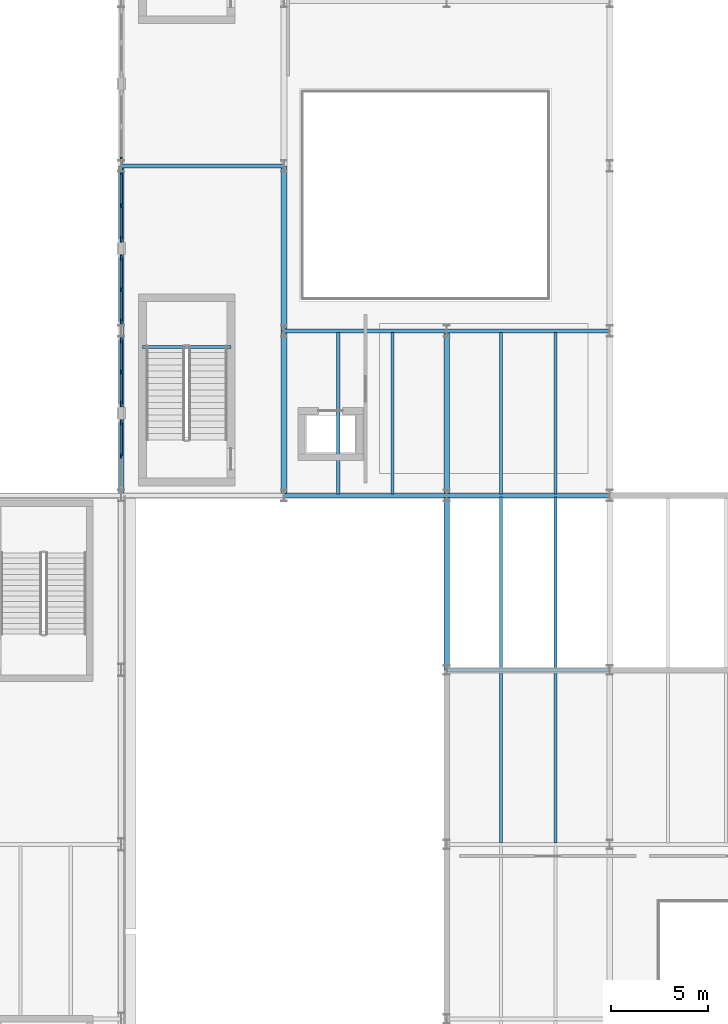
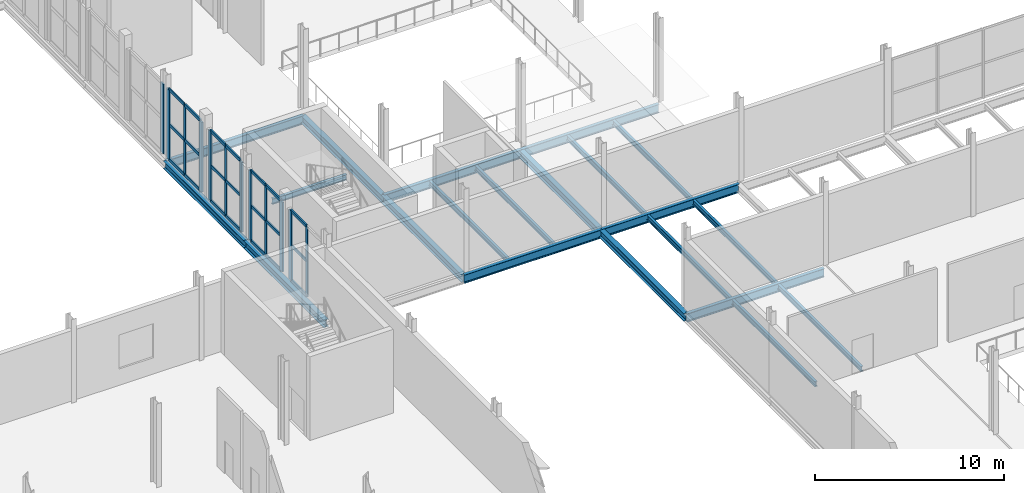
# One storey, part 23 of 78: 33 members, 21 beams, 5 elements without a shape of their own.
"""IFC4 building model written with IfcOpenShell, lengths in metres."""

from ifc_helpers import new_model, si_unit, direction, frame, origin, origin_2d, place, context, subcontext, project, spatial, rectangle, i_section, extrude, material, layer, layer_set, material_profile, profile_set, type_object, element, aggregate, save


model = new_model("IFC4")

# Units and contexts
model_context = context("Model", 3, precision=1e-05, world=origin(), true_north=direction((0.0, 1.0)))
body_context = subcontext(model_context, "Body", "Model", "MODEL_VIEW")
ifc_project = project(units=[si_unit("LENGTHUNIT", "METRE"), si_unit("AREAUNIT", "SQUARE_METRE"), si_unit("VOLUMEUNIT", "CUBIC_METRE"), si_unit("PLANEANGLEUNIT", "RADIAN"), si_unit("MASSUNIT", "GRAM", prefix="KILO")], contexts=[model_context])

# Site, building, storey
site_placement = place(None, origin())
site = spatial("IfcSite", under=ifc_project, at=site_placement, CompositionType="ELEMENT")
building_placement = place(site_placement, origin())
building = spatial("IfcBuilding", under=site, at=building_placement, Name="Sefraquen Railside Congress Hotel", CompositionType="ELEMENT")
storey_placement = place(building_placement, frame((0.0, 0.0, 6.0)))
storey = spatial("IfcBuildingStorey", under=building, at=storey_placement, Name="L01", CompositionType="ELEMENT", Elevation=6.0)

# Beams
ifc_material_1 = material(Name="Steel S355JR", Category="steel")
ifc_material_profile_1 = material_profile(ifc_material_1, i_section(OverallWidth=0.169921875, OverallDepth=0.360107421875, WebThickness=0.008056640625, FlangeThickness=0.0126953125, FilletRadius=0.01806640625, at=origin_2d()), Name="IPE 360")
ifc_profile_set_1 = profile_set([ifc_material_profile_1], Name="Steel S355JR")
beam_type_1 = type_object("IfcBeamType", Name="TB-BM-360", PredefinedType="BEAM", material=ifc_profile_set_1)
beam_1_placement = place(storey_placement, frame((104.300048828125, 61.669921875, 2.320068359375), z_axis=(1.0, 0.0, 0.0), x_axis=(0.0, 1.0, 0.0)))
element("IfcBeam", 1, at=beam_1_placement, inside=storey, type_object=beam_type_1, Name="Stair ST-M02 L01 mid-landing corbel beam", PredefinedType="BEAM", context=body_context, shape_type="SweptSolid", body=[
    extrude(i_section(OverallWidth=0.169921875, OverallDepth=0.360107421875, WebThickness=0.008056640625, FlangeThickness=0.0126953125, FilletRadius=0.01806640625, at=origin_2d()), origin(), (0.0, 0.0, 1.0), 4.56005859375),
])
ifc_material_profile_2 = material_profile(ifc_material_1, i_section(OverallWidth=0.300048828125, OverallDepth=0.489990234375, WebThickness=0.011962890625, FlangeThickness=0.02294921875, FilletRadius=0.027099609375, at=origin_2d()), Name="HEA 500")
ifc_profile_set_2 = profile_set([ifc_material_profile_2], Name="Steel S355JR")
beam_type_2 = type_object("IfcBeamType", Name="TB-GIR-500", PredefinedType="T_BEAM", material=ifc_profile_set_2)
for number, where, z_axis, x_axis, name in (
    (2, (103.199951171875, 54.0, -0.544921875), (0.0, 1.0, 0.0), (-1.0, 0.0, 0.0), "Floor beam BM-L01-0609"),
    (3, (103.199951171875, 62.5, -0.544921875), (0.0, 1.0, 0.0), (-1.0, 0.0, 0.0), "Floor beam BM-L01-0610"),
    (4, (111.60009765625, 54.0, -0.544921875), (0.0, 1.0, 0.0), (-1.0, 0.0, 0.0), "Floor beam BM-L01-0617"),
    (5, (111.60009765625, 62.5, -0.544921875), (0.0, 1.0, 0.0), (-1.0, 0.0, 0.0), "Floor beam BM-L01-0618"),
):
    element("IfcBeam", number, at=place(storey_placement, frame(where, z_axis=z_axis, x_axis=x_axis)), inside=storey, type_object=beam_type_2, Name=name, PredefinedType="T_BEAM", context=body_context, shape_type="SweptSolid", body=[
        extrude(i_section(OverallWidth=0.300048828125, OverallDepth=0.489990234375, WebThickness=0.011962890625, FlangeThickness=0.02294921875, FilletRadius=0.027099609375, at=origin_2d()), origin(), (0.0, 0.0, 1.0), 8.5),
    ])
beam_2_placement = place(storey_placement, frame((120.0, 45.0, -0.544921875), z_axis=(0.0, 1.0, 0.0), x_axis=(-1.0, 0.0, 0.0)))
element("IfcBeam", 6, at=beam_2_placement, inside=storey, type_object=beam_type_2, Name="Floor beam BM-L01-0629", PredefinedType="T_BEAM", context=body_context, shape_type="SweptSolid", body=[
    extrude(i_section(OverallWidth=0.300048828125, OverallDepth=0.489990234375, WebThickness=0.011962890625, FlangeThickness=0.02294921875, FilletRadius=0.027099609375, at=origin_2d()), origin(), (0.0, 0.0, 1.0), 9.0),
])
beam_3_placement = place(storey_placement, frame((120.0, 54.0, -0.544921875), z_axis=(0.0, 1.0, 0.0), x_axis=(-1.0, 0.0, 0.0)))
element("IfcBeam", 7, at=beam_3_placement, inside=storey, type_object=beam_type_2, Name="Floor beam BM-L01-0630", PredefinedType="T_BEAM", context=body_context, shape_type="SweptSolid", body=[
    extrude(i_section(OverallWidth=0.300048828125, OverallDepth=0.489990234375, WebThickness=0.011962890625, FlangeThickness=0.02294921875, FilletRadius=0.027099609375, at=origin_2d()), origin(), (0.0, 0.0, 1.0), 8.5),
])
ifc_material_profile_3 = material_profile(ifc_material_1, i_section(OverallWidth=0.2099609375, OverallDepth=0.550048828125, WebThickness=0.010986328125, FlangeThickness=0.01708984375, FilletRadius=0.02392578125, at=origin_2d()), Name="IPE 550")
ifc_profile_set_3 = profile_set([ifc_material_profile_3], Name="Steel S355JR")
beam_type_3 = type_object("IfcBeamType", Name="TB-GIR-550", PredefinedType="T_BEAM", material=ifc_profile_set_3)
for number, where, z_axis, x_axis, name in (
    (8, (120.0, 45.0, -0.574951171875), (1.0, 0.0, 0.0), (0.0, 1.0, 0.0), "Primary girder BM-L01-0386"),
    (9, (111.60009765625, 54.0, -0.574951171875), (1.0, 0.0, 0.0), (0.0, 1.0, 0.0), "Primary girder BM-L01-0403"),
    (10, (120.0, 54.0, -0.574951171875), (1.0, 0.0, 0.0), (0.0, 1.0, 0.0), "Primary girder BM-L01-0404"),
    (11, (111.60009765625, 62.5, -0.574951171875), (1.0, 0.0, 0.0), (0.0, 1.0, 0.0), "Primary girder BM-L01-0416"),
    (12, (120.0, 62.5, -0.574951171875), (1.0, 0.0, 0.0), (0.0, 1.0, 0.0), "Primary girder BM-L01-0417"),
):
    element("IfcBeam", number, at=place(storey_placement, frame(where, z_axis=z_axis, x_axis=x_axis)), inside=storey, type_object=beam_type_3, Name=name, PredefinedType="T_BEAM", context=body_context, shape_type="SweptSolid", body=[
        extrude(i_section(OverallWidth=0.2099609375, OverallDepth=0.550048828125, WebThickness=0.010986328125, FlangeThickness=0.01708984375, FilletRadius=0.02392578125, at=origin_2d()), origin(), (0.0, 0.0, 1.0), 8.39990234375),
    ])
beam_4_placement = place(storey_placement, frame((103.199951171875, 71.0, -0.574951171875), z_axis=(1.0, 0.0, 0.0), x_axis=(0.0, 1.0, 0.0)))
element("IfcBeam", 13, at=beam_4_placement, inside=storey, type_object=beam_type_3, Name="Primary girder BM-L01-0425", PredefinedType="T_BEAM", context=body_context, shape_type="SweptSolid", body=[
    extrude(i_section(OverallWidth=0.2099609375, OverallDepth=0.550048828125, WebThickness=0.010986328125, FlangeThickness=0.01708984375, FilletRadius=0.02392578125, at=origin_2d()), origin(), (0.0, 0.0, 1.0), 8.400146484375),
])
ifc_material_profile_4 = material_profile(ifc_material_1, i_section(OverallWidth=0.159912109375, OverallDepth=0.330078125, WebThickness=0.007568359375, FlangeThickness=0.011474609375, FilletRadius=0.01806640625, at=origin_2d()), Name="IPE 330")
ifc_profile_set_4 = profile_set([ifc_material_profile_4], Name="Steel S355JR")
beam_type_4 = type_object("IfcBeamType", Name="TB-JST-330", PredefinedType="JOIST", material=ifc_profile_set_4)
for number, where, z_axis, x_axis, name in (
    (14, (114.39990234375, 54.0849609375, -0.465087890625), (0.0, 1.0, 0.0), (-1.0, 0.0, 0.0), "Composite floor joist BM-L01-J0362"),
    (15, (117.199951171875, 54.0849609375, -0.465087890625), (0.0, 1.0, 0.0), (-1.0, 0.0, 0.0), "Composite floor joist BM-L01-J0363"),
):
    element("IfcBeam", number, at=place(storey_placement, frame(where, z_axis=z_axis, x_axis=x_axis)), inside=storey, type_object=beam_type_4, Name=name, PredefinedType="JOIST", context=body_context, shape_type="SweptSolid", body=[
        extrude(i_section(OverallWidth=0.159912109375, OverallDepth=0.330078125, WebThickness=0.007568359375, FlangeThickness=0.011474609375, FilletRadius=0.01806640625, at=origin_2d()), origin(), (0.0, 0.0, 1.0), 8.330078125),
    ])
for number, where, z_axis, x_axis, name in (
    (16, (122.800048828125, 36.0849609375, -0.465087890625), (0.0, 1.0, 0.0), (-1.0, 0.0, 0.0), "Composite floor joist BM-L01-J0380"),
    (17, (125.60009765625, 36.0849609375, -0.465087890625), (0.0, 1.0, 0.0), (-1.0, 0.0, 0.0), "Composite floor joist BM-L01-J0381"),
    (18, (122.800048828125, 45.0849609375, -0.465087890625), (0.0, 1.0, 0.0), (-1.0, 0.0, 0.0), "Composite floor joist BM-L01-J0382"),
    (19, (125.60009765625, 45.0849609375, -0.465087890625), (0.0, 1.0, 0.0), (-1.0, 0.0, 0.0), "Composite floor joist BM-L01-J0383"),
):
    element("IfcBeam", number, at=place(storey_placement, frame(where, z_axis=z_axis, x_axis=x_axis)), inside=storey, type_object=beam_type_4, Name=name, PredefinedType="JOIST", context=body_context, shape_type="SweptSolid", body=[
        extrude(i_section(OverallWidth=0.159912109375, OverallDepth=0.330078125, WebThickness=0.007568359375, FlangeThickness=0.011474609375, FilletRadius=0.01806640625, at=origin_2d()), origin(), (0.0, 0.0, 1.0), 8.830078125),
    ])
for number, where, z_axis, x_axis, name in (
    (20, (122.800048828125, 54.0849609375, -0.465087890625), (0.0, 1.0, 0.0), (-1.0, 0.0, 0.0), "Composite floor joist BM-L01-J0384"),
    (21, (125.60009765625, 54.0849609375, -0.465087890625), (0.0, 1.0, 0.0), (-1.0, 0.0, 0.0), "Composite floor joist BM-L01-J0385"),
):
    element("IfcBeam", number, at=place(storey_placement, frame(where, z_axis=z_axis, x_axis=x_axis)), inside=storey, type_object=beam_type_4, Name=name, PredefinedType="JOIST", context=body_context, shape_type="SweptSolid", body=[
        extrude(i_section(OverallWidth=0.159912109375, OverallDepth=0.330078125, WebThickness=0.007568359375, FlangeThickness=0.011474609375, FilletRadius=0.01806640625, at=origin_2d()), origin(), (0.0, 0.0, 1.0), 8.330078125),
    ])

# Curtain wall, member
ifc_material_2 = material(Name="Thermally broken anodised aluminium and low-E double glazing", Category="aluminium")
ifc_layer_1 = layer(ifc_material_2, 0.199951171875)
ifc_layer_set_1 = layer_set([ifc_layer_1], Name="Thermally broken anodised aluminium and low-E double glazing")
curtain_wall_type_1 = type_object("IfcCurtainWallType", Name="TCW-UCW-14", PredefinedType="USERDEFINED", material=ifc_layer_set_1)
curtain_wall_1_placement = place(storey_placement, origin())
curtain_wall_1 = element("IfcCurtainWall", 22, at=curtain_wall_1_placement, inside=storey, type_object=curtain_wall_type_1, Name="Courtyard east gallery curtain wall L01", ObjectType="UNITISED CURTAIN WALL", PredefinedType="USERDEFINED")
ifc_material_3 = material(Name="Thermally broken anodised aluminium 6063-T6", Category="aluminium")
ifc_material_profile_5 = material_profile(ifc_material_3, rectangle(XDim=0.074951171875, YDim=0.219970703125, at=origin_2d()), Name="CWM 75x220")
ifc_profile_set_5 = profile_set([ifc_material_profile_5], Name="Thermally broken anodised aluminium 6063-T6")
member_type_1 = type_object("IfcMemberType", Name="TM-CWM-04", PredefinedType="MULLION", material=ifc_profile_set_5)
member_1_placement = place(storey_placement, frame((103.199951171875, 56.0400390625, 0.0), z_axis=(0.0, 0.0, 1.0), x_axis=(1.0, 0.0, 0.0)))
member_1 = element("IfcMember", 23, at=member_1_placement, type_object=member_type_1, Name="CW-L01-046 mullion 2", PredefinedType="MULLION", context=body_context, shape_type="SweptSolid", body=[
    extrude(rectangle(XDim=0.074951171875, YDim=0.219970703125, at=origin_2d()), origin(), (0.0, 0.0, 1.0), 4.5),
])

curtain_wall_2_placement = place(storey_placement, origin())
curtain_wall_2 = element("IfcCurtainWall", 24, at=curtain_wall_2_placement, inside=storey, type_object=curtain_wall_type_1, Name="Courtyard east gallery curtain wall L01 bay 2", ObjectType="UNITISED CURTAIN WALL", PredefinedType="USERDEFINED")
member_2_placement = place(storey_placement, frame((103.199951171875, 60.375, 0.0), z_axis=(0.0, 0.0, 1.0), x_axis=(1.0, 0.0, 0.0)))
member_2 = element("IfcMember", 25, at=member_2_placement, type_object=member_type_1, Name="CW-L01-046-S2 mullion 2", PredefinedType="MULLION", context=body_context, shape_type="SweptSolid", body=[
    extrude(rectangle(XDim=0.074951171875, YDim=0.219970703125, at=origin_2d()), origin(), (0.0, 0.0, 1.0), 4.5),
])

curtain_wall_3_placement = place(storey_placement, origin())
curtain_wall_3 = element("IfcCurtainWall", 26, at=curtain_wall_3_placement, inside=storey, type_object=curtain_wall_type_1, Name="Courtyard east gallery curtain wall L01 bay 3", ObjectType="UNITISED CURTAIN WALL", PredefinedType="USERDEFINED")
member_3_placement = place(storey_placement, frame((103.199951171875, 64.625, 0.0), z_axis=(0.0, 0.0, 1.0), x_axis=(1.0, 0.0, 0.0)))
member_3 = element("IfcMember", 27, at=member_3_placement, type_object=member_type_1, Name="CW-L01-046-S3 mullion 2", PredefinedType="MULLION", context=body_context, shape_type="SweptSolid", body=[
    extrude(rectangle(XDim=0.074951171875, YDim=0.219970703125, at=origin_2d()), origin(), (0.0, 0.0, 1.0), 4.5),
])

curtain_wall_4_placement = place(storey_placement, origin())
curtain_wall_4 = element("IfcCurtainWall", 28, at=curtain_wall_4_placement, inside=storey, type_object=curtain_wall_type_1, Name="Courtyard east gallery curtain wall L01 bay 4", ObjectType="UNITISED CURTAIN WALL", PredefinedType="USERDEFINED")
member_4_placement = place(storey_placement, frame((103.199951171875, 68.9599609375, 0.0), z_axis=(0.0, 0.0, 1.0), x_axis=(1.0, 0.0, 0.0)))
member_4 = element("IfcMember", 29, at=member_4_placement, type_object=member_type_1, Name="CW-L01-046-S4 mullion 2", PredefinedType="MULLION", context=body_context, shape_type="SweptSolid", body=[
    extrude(rectangle(XDim=0.074951171875, YDim=0.219970703125, at=origin_2d()), origin(), (0.0, 0.0, 1.0), 4.5),
])

# Member
ifc_material_profile_6 = material_profile(ifc_material_3, rectangle(XDim=0.094970703125, YDim=0.300048828125, at=origin_2d()), Name="CWM 95x300")
ifc_profile_set_6 = profile_set([ifc_material_profile_6], Name="Thermally broken anodised aluminium 6063-T6")
member_type_2 = type_object("IfcMemberType", Name="TM-CWM-08", PredefinedType="MULLION", material=ifc_profile_set_6)
member_5_placement = place(storey_placement, frame((103.199951171875, 57.77001953125, 0.0), z_axis=(0.0, 0.0, 1.0), x_axis=(1.0, 0.0, 0.0)))
member_5 = element("IfcMember", 30, at=member_5_placement, type_object=member_type_2, Name="CW-L01-046 mullion 3", PredefinedType="MULLION", context=body_context, shape_type="SweptSolid", body=[
    extrude(rectangle(XDim=0.094970703125, YDim=0.300048828125, at=origin_2d()), origin(), (0.0, 0.0, 1.0), 4.5),
])

member_6_placement = place(storey_placement, frame((103.199951171875, 58.72998046875, 0.0), z_axis=(0.0, 0.0, 1.0), x_axis=(1.0, 0.0, 0.0)))
member_6 = element("IfcMember", 31, at=member_6_placement, type_object=member_type_2, Name="CW-L01-046-S2 mullion 1", PredefinedType="MULLION", context=body_context, shape_type="SweptSolid", body=[
    extrude(rectangle(XDim=0.094970703125, YDim=0.300048828125, at=origin_2d()), origin(), (0.0, 0.0, 1.0), 4.5),
])

member_7_placement = place(storey_placement, frame((103.199951171875, 62.02001953125, 0.0), z_axis=(0.0, 0.0, 1.0), x_axis=(1.0, 0.0, 0.0)))
member_7 = element("IfcMember", 32, at=member_7_placement, type_object=member_type_2, Name="CW-L01-046-S2 mullion 3", PredefinedType="MULLION", context=body_context, shape_type="SweptSolid", body=[
    extrude(rectangle(XDim=0.094970703125, YDim=0.300048828125, at=origin_2d()), origin(), (0.0, 0.0, 1.0), 4.5),
])

member_8_placement = place(storey_placement, frame((103.199951171875, 62.97998046875, 0.0), z_axis=(0.0, 0.0, 1.0), x_axis=(1.0, 0.0, 0.0)))
member_8 = element("IfcMember", 33, at=member_8_placement, type_object=member_type_2, Name="CW-L01-046-S3 mullion 1", PredefinedType="MULLION", context=body_context, shape_type="SweptSolid", body=[
    extrude(rectangle(XDim=0.094970703125, YDim=0.300048828125, at=origin_2d()), origin(), (0.0, 0.0, 1.0), 4.5),
])

member_9_placement = place(storey_placement, frame((103.199951171875, 66.27001953125, 0.0), z_axis=(0.0, 0.0, 1.0), x_axis=(1.0, 0.0, 0.0)))
member_9 = element("IfcMember", 34, at=member_9_placement, type_object=member_type_2, Name="CW-L01-046-S3 mullion 3", PredefinedType="MULLION", context=body_context, shape_type="SweptSolid", body=[
    extrude(rectangle(XDim=0.094970703125, YDim=0.300048828125, at=origin_2d()), origin(), (0.0, 0.0, 1.0), 4.5),
])

member_10_placement = place(storey_placement, frame((103.199951171875, 67.22998046875, 0.0), z_axis=(0.0, 0.0, 1.0), x_axis=(1.0, 0.0, 0.0)))
member_10 = element("IfcMember", 35, at=member_10_placement, type_object=member_type_2, Name="CW-L01-046-S4 mullion 1", PredefinedType="MULLION", context=body_context, shape_type="SweptSolid", body=[
    extrude(rectangle(XDim=0.094970703125, YDim=0.300048828125, at=origin_2d()), origin(), (0.0, 0.0, 1.0), 4.5),
])

member_11_placement = place(storey_placement, frame((103.199951171875, 70.68994140625, 0.0), z_axis=(0.0, 0.0, 1.0), x_axis=(1.0, 0.0, 0.0)))
member_11 = element("IfcMember", 36, at=member_11_placement, type_object=member_type_2, Name="CW-L01-046-S4 mullion 3", PredefinedType="MULLION", context=body_context, shape_type="SweptSolid", body=[
    extrude(rectangle(XDim=0.094970703125, YDim=0.300048828125, at=origin_2d()), origin(), (0.0, 0.0, 1.0), 4.5),
])

# Curtain wall, member
ifc_layer_2 = layer(ifc_material_2, 0.199951171875)
ifc_layer_set_2 = layer_set([ifc_layer_2], Name="Thermally broken anodised aluminium and low-E double glazing")
curtain_wall_type_2 = type_object("IfcCurtainWallType", Name="TCW-UCW-16", PredefinedType="USERDEFINED", material=ifc_layer_set_2)
curtain_wall_5_placement = place(storey_placement, origin())
curtain_wall_5 = element("IfcCurtainWall", 37, at=curtain_wall_5_placement, inside=storey, type_object=curtain_wall_type_2, Name="Courtyard east gallery curtain wall L01", ObjectType="UNITISED CURTAIN WALL", PredefinedType="USERDEFINED")
member_12_placement = place(storey_placement, frame((103.199951171875, 71.31005859375, 0.0), z_axis=(0.0, 0.0, 1.0), x_axis=(1.0, 0.0, 0.0)))
member_12 = element("IfcMember", 38, at=member_12_placement, type_object=member_type_2, Name="CW-L01-048 mullion 1", PredefinedType="MULLION", context=body_context, shape_type="SweptSolid", body=[
    extrude(rectangle(XDim=0.094970703125, YDim=0.300048828125, at=origin_2d()), origin(), (0.0, 0.0, 1.0), 4.5),
])
aggregate(curtain_wall_5, [member_12])

# Member
ifc_material_profile_7 = material_profile(ifc_material_3, rectangle(XDim=0.0849609375, YDim=0.195068359375, at=origin_2d()), Name="CWT 85x195")
ifc_profile_set_7 = profile_set([ifc_material_profile_7], Name="Thermally broken anodised aluminium 6063-T6")
member_type_3 = type_object("IfcMemberType", Name="TM-CWT-06", PredefinedType="USERDEFINED", material=ifc_profile_set_7)
member_13_placement = place(storey_placement, frame((103.199951171875, 56.0849609375, 0.0), z_axis=(0.0, 1.0, 0.0), x_axis=(-1.0, 0.0, 0.0)))
member_13 = element("IfcMember", 39, at=member_13_placement, type_object=member_type_3, Name="CW-L01-046 transom 1.2", ObjectType="TRANSOM", PredefinedType="USERDEFINED", context=body_context, shape_type="SweptSolid", body=[
    extrude(rectangle(XDim=0.0849609375, YDim=0.195068359375, at=origin_2d()), origin(), (0.0, 0.0, 1.0), 1.64013671875),
])

member_14_placement = place(storey_placement, frame((103.199951171875, 56.0849609375, 2.25), z_axis=(0.0, 1.0, 0.0), x_axis=(-1.0, 0.0, 0.0)))
member_14 = element("IfcMember", 40, at=member_14_placement, type_object=member_type_3, Name="CW-L01-046 transom 2.2", ObjectType="TRANSOM", PredefinedType="USERDEFINED", context=body_context, shape_type="SweptSolid", body=[
    extrude(rectangle(XDim=0.0849609375, YDim=0.195068359375, at=origin_2d()), origin(), (0.0, 0.0, 1.0), 1.64013671875),
])

member_15_placement = place(storey_placement, frame((103.199951171875, 56.0849609375, 4.5), z_axis=(0.0, 1.0, 0.0), x_axis=(-1.0, 0.0, 0.0)))
member_15 = element("IfcMember", 41, at=member_15_placement, type_object=member_type_3, Name="CW-L01-046 transom 3.2", ObjectType="TRANSOM", PredefinedType="USERDEFINED", context=body_context, shape_type="SweptSolid", body=[
    extrude(rectangle(XDim=0.0849609375, YDim=0.195068359375, at=origin_2d()), origin(), (0.0, 0.0, 1.0), 1.64013671875),
])

aggregate(curtain_wall_1, [member_1, member_5, member_13, member_14, member_15])

member_16_placement = place(storey_placement, frame((103.199951171875, 58.77490234375, 0.0), z_axis=(0.0, 1.0, 0.0), x_axis=(-1.0, 0.0, 0.0)))
member_16 = element("IfcMember", 42, at=member_16_placement, type_object=member_type_3, Name="CW-L01-046-S2 transom 1.1", ObjectType="TRANSOM", PredefinedType="USERDEFINED", context=body_context, shape_type="SweptSolid", body=[
    extrude(rectangle(XDim=0.0849609375, YDim=0.195068359375, at=origin_2d()), origin(), (0.0, 0.0, 1.0), 1.55517578125),
])

member_17_placement = place(storey_placement, frame((103.199951171875, 60.419921875, 0.0), z_axis=(0.0, 1.0, 0.0), x_axis=(-1.0, 0.0, 0.0)))
member_17 = element("IfcMember", 43, at=member_17_placement, type_object=member_type_3, Name="CW-L01-046-S2 transom 1.2", ObjectType="TRANSOM", PredefinedType="USERDEFINED", context=body_context, shape_type="SweptSolid", body=[
    extrude(rectangle(XDim=0.0849609375, YDim=0.195068359375, at=origin_2d()), origin(), (0.0, 0.0, 1.0), 1.55517578125),
])

member_18_placement = place(storey_placement, frame((103.199951171875, 58.77490234375, 2.25), z_axis=(0.0, 1.0, 0.0), x_axis=(-1.0, 0.0, 0.0)))
member_18 = element("IfcMember", 44, at=member_18_placement, type_object=member_type_3, Name="CW-L01-046-S2 transom 2.1", ObjectType="TRANSOM", PredefinedType="USERDEFINED", context=body_context, shape_type="SweptSolid", body=[
    extrude(rectangle(XDim=0.0849609375, YDim=0.195068359375, at=origin_2d()), origin(), (0.0, 0.0, 1.0), 1.55517578125),
])

member_19_placement = place(storey_placement, frame((103.199951171875, 60.419921875, 2.25), z_axis=(0.0, 1.0, 0.0), x_axis=(-1.0, 0.0, 0.0)))
member_19 = element("IfcMember", 45, at=member_19_placement, type_object=member_type_3, Name="CW-L01-046-S2 transom 2.2", ObjectType="TRANSOM", PredefinedType="USERDEFINED", context=body_context, shape_type="SweptSolid", body=[
    extrude(rectangle(XDim=0.0849609375, YDim=0.195068359375, at=origin_2d()), origin(), (0.0, 0.0, 1.0), 1.55517578125),
])

member_20_placement = place(storey_placement, frame((103.199951171875, 58.77490234375, 4.5), z_axis=(0.0, 1.0, 0.0), x_axis=(-1.0, 0.0, 0.0)))
member_20 = element("IfcMember", 46, at=member_20_placement, type_object=member_type_3, Name="CW-L01-046-S2 transom 3.1", ObjectType="TRANSOM", PredefinedType="USERDEFINED", context=body_context, shape_type="SweptSolid", body=[
    extrude(rectangle(XDim=0.0849609375, YDim=0.195068359375, at=origin_2d()), origin(), (0.0, 0.0, 1.0), 1.55517578125),
])

member_21_placement = place(storey_placement, frame((103.199951171875, 60.419921875, 4.5), z_axis=(0.0, 1.0, 0.0), x_axis=(-1.0, 0.0, 0.0)))
member_21 = element("IfcMember", 47, at=member_21_placement, type_object=member_type_3, Name="CW-L01-046-S2 transom 3.2", ObjectType="TRANSOM", PredefinedType="USERDEFINED", context=body_context, shape_type="SweptSolid", body=[
    extrude(rectangle(XDim=0.0849609375, YDim=0.195068359375, at=origin_2d()), origin(), (0.0, 0.0, 1.0), 1.55517578125),
])

aggregate(curtain_wall_2, [member_6, member_2, member_7, member_16, member_17, member_18, member_19, member_20, member_21])

member_22_placement = place(storey_placement, frame((103.199951171875, 63.02490234375, 0.0), z_axis=(0.0, 1.0, 0.0), x_axis=(-1.0, 0.0, 0.0)))
member_22 = element("IfcMember", 48, at=member_22_placement, type_object=member_type_3, Name="CW-L01-046-S3 transom 1.1", ObjectType="TRANSOM", PredefinedType="USERDEFINED", context=body_context, shape_type="SweptSolid", body=[
    extrude(rectangle(XDim=0.0849609375, YDim=0.195068359375, at=origin_2d()), origin(), (0.0, 0.0, 1.0), 1.55517578125),
])

member_23_placement = place(storey_placement, frame((103.199951171875, 64.669921875, 0.0), z_axis=(0.0, 1.0, 0.0), x_axis=(-1.0, 0.0, 0.0)))
member_23 = element("IfcMember", 49, at=member_23_placement, type_object=member_type_3, Name="CW-L01-046-S3 transom 1.2", ObjectType="TRANSOM", PredefinedType="USERDEFINED", context=body_context, shape_type="SweptSolid", body=[
    extrude(rectangle(XDim=0.0849609375, YDim=0.195068359375, at=origin_2d()), origin(), (0.0, 0.0, 1.0), 1.55517578125),
])

member_24_placement = place(storey_placement, frame((103.199951171875, 63.02490234375, 2.25), z_axis=(0.0, 1.0, 0.0), x_axis=(-1.0, 0.0, 0.0)))
member_24 = element("IfcMember", 50, at=member_24_placement, type_object=member_type_3, Name="CW-L01-046-S3 transom 2.1", ObjectType="TRANSOM", PredefinedType="USERDEFINED", context=body_context, shape_type="SweptSolid", body=[
    extrude(rectangle(XDim=0.0849609375, YDim=0.195068359375, at=origin_2d()), origin(), (0.0, 0.0, 1.0), 1.55517578125),
])

member_25_placement = place(storey_placement, frame((103.199951171875, 64.669921875, 2.25), z_axis=(0.0, 1.0, 0.0), x_axis=(-1.0, 0.0, 0.0)))
member_25 = element("IfcMember", 51, at=member_25_placement, type_object=member_type_3, Name="CW-L01-046-S3 transom 2.2", ObjectType="TRANSOM", PredefinedType="USERDEFINED", context=body_context, shape_type="SweptSolid", body=[
    extrude(rectangle(XDim=0.0849609375, YDim=0.195068359375, at=origin_2d()), origin(), (0.0, 0.0, 1.0), 1.55517578125),
])

member_26_placement = place(storey_placement, frame((103.199951171875, 63.02490234375, 4.5), z_axis=(0.0, 1.0, 0.0), x_axis=(-1.0, 0.0, 0.0)))
member_26 = element("IfcMember", 52, at=member_26_placement, type_object=member_type_3, Name="CW-L01-046-S3 transom 3.1", ObjectType="TRANSOM", PredefinedType="USERDEFINED", context=body_context, shape_type="SweptSolid", body=[
    extrude(rectangle(XDim=0.0849609375, YDim=0.195068359375, at=origin_2d()), origin(), (0.0, 0.0, 1.0), 1.55517578125),
])

member_27_placement = place(storey_placement, frame((103.199951171875, 64.669921875, 4.5), z_axis=(0.0, 1.0, 0.0), x_axis=(-1.0, 0.0, 0.0)))
member_27 = element("IfcMember", 53, at=member_27_placement, type_object=member_type_3, Name="CW-L01-046-S3 transom 3.2", ObjectType="TRANSOM", PredefinedType="USERDEFINED", context=body_context, shape_type="SweptSolid", body=[
    extrude(rectangle(XDim=0.0849609375, YDim=0.195068359375, at=origin_2d()), origin(), (0.0, 0.0, 1.0), 1.55517578125),
])

aggregate(curtain_wall_3, [member_8, member_3, member_9, member_22, member_23, member_24, member_25, member_26, member_27])

member_28_placement = place(storey_placement, frame((103.199951171875, 67.27490234375, 0.0), z_axis=(0.0, 1.0, 0.0), x_axis=(-1.0, 0.0, 0.0)))
member_28 = element("IfcMember", 54, at=member_28_placement, type_object=member_type_3, Name="CW-L01-046-S4 transom 1.1", ObjectType="TRANSOM", PredefinedType="USERDEFINED", context=body_context, shape_type="SweptSolid", body=[
    extrude(rectangle(XDim=0.0849609375, YDim=0.195068359375, at=origin_2d()), origin(), (0.0, 0.0, 1.0), 1.64013671875),
])

member_29_placement = place(storey_placement, frame((103.199951171875, 69.0048828125, 0.0), z_axis=(0.0, 1.0, 0.0), x_axis=(-1.0, 0.0, 0.0)))
member_29 = element("IfcMember", 55, at=member_29_placement, type_object=member_type_3, Name="CW-L01-046-S4 transom 1.2", ObjectType="TRANSOM", PredefinedType="USERDEFINED", context=body_context, shape_type="SweptSolid", body=[
    extrude(rectangle(XDim=0.0849609375, YDim=0.195068359375, at=origin_2d()), origin(), (0.0, 0.0, 1.0), 1.64013671875),
])

member_30_placement = place(storey_placement, frame((103.199951171875, 67.27490234375, 2.25), z_axis=(0.0, 1.0, 0.0), x_axis=(-1.0, 0.0, 0.0)))
member_30 = element("IfcMember", 56, at=member_30_placement, type_object=member_type_3, Name="CW-L01-046-S4 transom 2.1", ObjectType="TRANSOM", PredefinedType="USERDEFINED", context=body_context, shape_type="SweptSolid", body=[
    extrude(rectangle(XDim=0.0849609375, YDim=0.195068359375, at=origin_2d()), origin(), (0.0, 0.0, 1.0), 1.64013671875),
])

member_31_placement = place(storey_placement, frame((103.199951171875, 69.0048828125, 2.25), z_axis=(0.0, 1.0, 0.0), x_axis=(-1.0, 0.0, 0.0)))
member_31 = element("IfcMember", 57, at=member_31_placement, type_object=member_type_3, Name="CW-L01-046-S4 transom 2.2", ObjectType="TRANSOM", PredefinedType="USERDEFINED", context=body_context, shape_type="SweptSolid", body=[
    extrude(rectangle(XDim=0.0849609375, YDim=0.195068359375, at=origin_2d()), origin(), (0.0, 0.0, 1.0), 1.64013671875),
])

member_32_placement = place(storey_placement, frame((103.199951171875, 67.27490234375, 4.5), z_axis=(0.0, 1.0, 0.0), x_axis=(-1.0, 0.0, 0.0)))
member_32 = element("IfcMember", 58, at=member_32_placement, type_object=member_type_3, Name="CW-L01-046-S4 transom 3.1", ObjectType="TRANSOM", PredefinedType="USERDEFINED", context=body_context, shape_type="SweptSolid", body=[
    extrude(rectangle(XDim=0.0849609375, YDim=0.195068359375, at=origin_2d()), origin(), (0.0, 0.0, 1.0), 1.64013671875),
])

member_33_placement = place(storey_placement, frame((103.199951171875, 69.0048828125, 4.5), z_axis=(0.0, 1.0, 0.0), x_axis=(-1.0, 0.0, 0.0)))
member_33 = element("IfcMember", 59, at=member_33_placement, type_object=member_type_3, Name="CW-L01-046-S4 transom 3.2", ObjectType="TRANSOM", PredefinedType="USERDEFINED", context=body_context, shape_type="SweptSolid", body=[
    extrude(rectangle(XDim=0.0849609375, YDim=0.195068359375, at=origin_2d()), origin(), (0.0, 0.0, 1.0), 1.64013671875),
])

aggregate(curtain_wall_4, [member_10, member_4, member_11, member_28, member_29, member_30, member_31, member_32, member_33])

save(model, "model.ifc")
